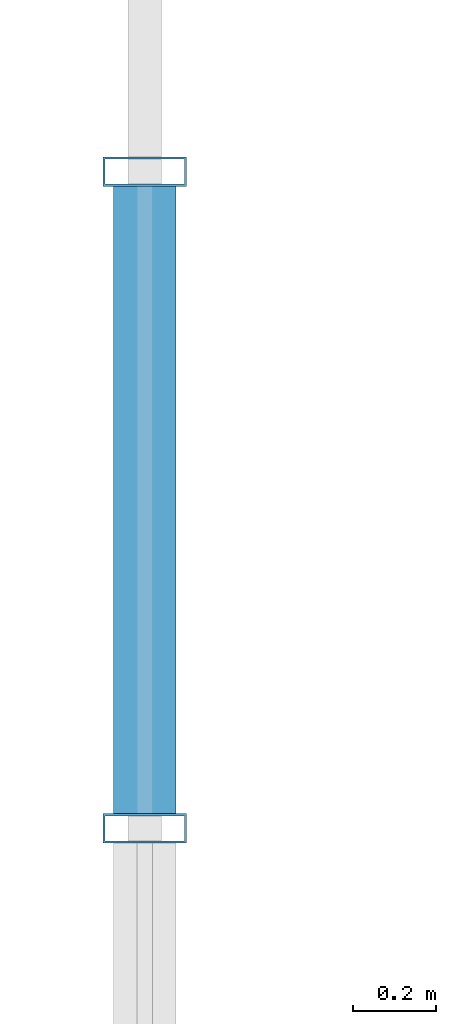
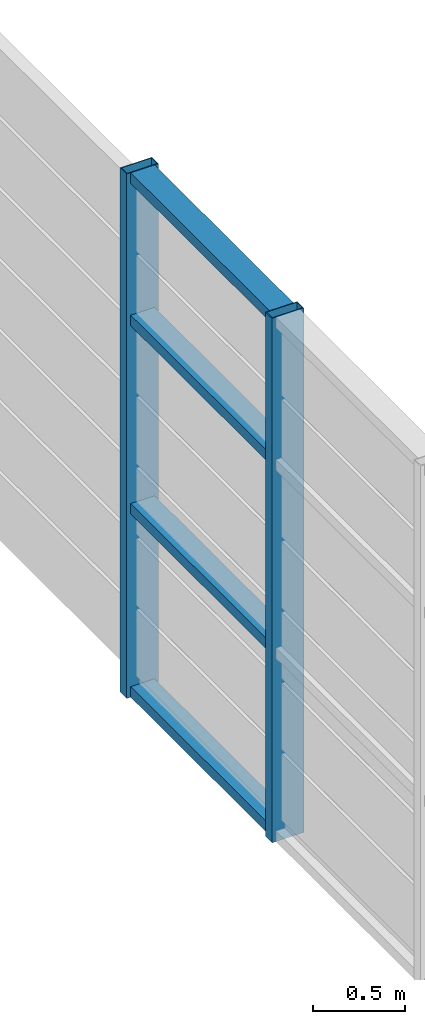
# One storey, part 9 of 21: 6 members, 1 element without a shape of its own.
"""IFC4 building model written with IfcOpenShell, lengths in metres."""

from ifc_helpers import new_model, si_unit, direction, frame, origin, origin_2d, place, context, subcontext, project, spatial, hollow_rectangle, extrude, source, transform, mapped, material, layer, layer_set, material_profile, profile_set, type_object, element, aggregate, save


model = new_model("IFC4")

# Units and contexts
model_context = context("Model", 3, precision=1e-05, world=origin(), true_north=direction((0.0, 1.0)))
body_context = subcontext(model_context, "Body", "Model", "MODEL_VIEW")
ifc_project = project(units=[si_unit("LENGTHUNIT", "METRE"), si_unit("AREAUNIT", "SQUARE_METRE"), si_unit("VOLUMEUNIT", "CUBIC_METRE"), si_unit("PLANEANGLEUNIT", "RADIAN"), si_unit("MASSUNIT", "GRAM", prefix="KILO")], contexts=[model_context])

# Site, building, storey
site_placement = place(None, origin())
site = spatial("IfcSite", under=ifc_project, at=site_placement, CompositionType="ELEMENT")
building_placement = place(site_placement, origin())
building = spatial("IfcBuilding", under=site, at=building_placement, Name="Saelheon Loggia Tower", CompositionType="ELEMENT")
storey_placement = place(building_placement, frame((0.0, 0.0, 267.39990234375)))
storey = spatial("IfcBuildingStorey", under=building, at=storey_placement, Name="CR5", CompositionType="ELEMENT", Elevation=267.39990234375)

# Curtain wall, members
ifc_material_1 = material(Name="Bronze-Anodised Aluminium and Fritted Ceramic Screen", Category="aluminium")
ifc_layer = layer(ifc_material_1, 0.219970703125)
ifc_layer_set = layer_set([ifc_layer], Name="Bronze-Anodised Aluminium and Fritted Ceramic Screen")
curtain_wall_type = type_object("IfcCurtainWallType", Name="CW_CrownScreen", PredefinedType="NOTDEFINED", material=ifc_layer_set)
curtain_wall_placement = place(storey_placement, origin())
curtain_wall = element("IfcCurtainWall", 1, at=curtain_wall_placement, inside=storey, type_object=curtain_wall_type, Name="CR5 Crown Central Screen Curtain Wall 9", PredefinedType="NOTDEFINED")
ifc_material_2 = material(Name="Bronze-Anodised Aluminium 6063-T6", Category="aluminium")
ifc_material_profile_1 = material_profile(ifc_material_2, hollow_rectangle(XDim=0.070068359375, YDim=0.199951171875, WallThickness=0.0048828125, at=origin_2d()), Name="RHS-200x70x5")
ifc_profile_set_1 = profile_set([ifc_material_profile_1], Name="Bronze-Anodised Aluminium 6063-T6")
member_type_1 = type_object("IfcMemberType", Name="CW_CrownScreen_Mullion", PredefinedType="MULLION", material=ifc_profile_set_1)
shared_shape_1 = source(origin(), body_context, "Body", "SweptSolid", [
    extrude(hollow_rectangle(XDim=0.070068359375, YDim=0.199951171875, WallThickness=0.0048828125, at=origin_2d()), origin(), (0.0, 0.0, 1.0), 3.47998046875),
])
member_1_placement = place(storey_placement, frame((23.35009765625, 31.03564453125, 0.0), z_axis=(0.0, 0.0, 1.0), x_axis=(0.0, 1.0, 0.0)))
member_1 = element("IfcMember", 2, at=member_1_placement, type_object=member_type_1, Name="CW6 mullion 7", PredefinedType="MULLION", context=body_context, shape_type="MappedRepresentation", body=[
    mapped(shared_shape_1, transform((0.0, 0.0, 0.0), scale=1.0)),
])
member_2_placement = place(storey_placement, frame((23.35009765625, 32.614990234375, 0.0), z_axis=(0.0, 0.0, 1.0), x_axis=(0.0, 1.0, 0.0)))
member_2 = element("IfcMember", 3, at=member_2_placement, type_object=member_type_1, Name="CW6 mullion 8", PredefinedType="MULLION", context=body_context, shape_type="MappedRepresentation", body=[
    mapped(shared_shape_1, transform((0.0, 0.0, 0.0), scale=1.0)),
])
ifc_material_profile_2 = material_profile(ifc_material_2, hollow_rectangle(XDim=0.070068359375, YDim=0.14990234375, WallThickness=0.0048828125, at=origin_2d()), Name="RHS-150x70x5")
ifc_profile_set_2 = profile_set([ifc_material_profile_2], Name="Bronze-Anodised Aluminium 6063-T6")
member_type_2 = type_object("IfcMemberType", Name="CW_CrownScreen_Transom", PredefinedType="USERDEFINED", material=ifc_profile_set_2)
shared_shape_2 = source(origin(), body_context, "Body", "SweptSolid", [
    extrude(hollow_rectangle(XDim=0.070068359375, YDim=0.14990234375, WallThickness=0.0048828125, at=origin_2d()), origin(), (0.0, 0.0, 1.0), 1.50927734375),
])
member_3_placement = place(storey_placement, frame((23.35009765625, 31.07080078125, 0.03515625), z_axis=(0.0, 1.0, 0.0), x_axis=(0.0, 0.0, 1.0)))
member_3 = element("IfcMember", 4, at=member_3_placement, type_object=member_type_2, Name="CW6 transom 7.1", ObjectType="TRANSOM", PredefinedType="USERDEFINED", context=body_context, shape_type="MappedRepresentation", body=[
    mapped(shared_shape_2, transform((0.0, 0.0, 0.0), scale=1.0)),
])
member_4_placement = place(storey_placement, frame((23.35009765625, 31.07080078125, 1.25), z_axis=(0.0, 1.0, 0.0), x_axis=(0.0, 0.0, 1.0)))
member_4 = element("IfcMember", 5, at=member_4_placement, type_object=member_type_2, Name="CW6 transom 7.2", ObjectType="TRANSOM", PredefinedType="USERDEFINED", context=body_context, shape_type="MappedRepresentation", body=[
    mapped(shared_shape_2, transform((0.0, 0.0, 0.0), scale=1.0)),
])
member_5_placement = place(storey_placement, frame((23.35009765625, 31.07080078125, 2.5), z_axis=(0.0, 1.0, 0.0), x_axis=(0.0, 0.0, 1.0)))
member_5 = element("IfcMember", 6, at=member_5_placement, type_object=member_type_2, Name="CW6 transom 7.3", ObjectType="TRANSOM", PredefinedType="USERDEFINED", context=body_context, shape_type="MappedRepresentation", body=[
    mapped(shared_shape_2, transform((0.0, 0.0, 0.0), scale=1.0)),
])
member_6_placement = place(storey_placement, frame((23.35009765625, 31.07080078125, 3.445068359375), z_axis=(0.0, 1.0, 0.0), x_axis=(0.0, 0.0, 1.0)))
member_6 = element("IfcMember", 7, at=member_6_placement, type_object=member_type_2, Name="CW6 transom 7.4", ObjectType="TRANSOM", PredefinedType="USERDEFINED", context=body_context, shape_type="MappedRepresentation", body=[
    mapped(shared_shape_2, transform((0.0, 0.0, 0.0), scale=1.0)),
])
aggregate(curtain_wall, [member_1, member_2, member_3, member_4, member_5, member_6])

save(model, "model.ifc")
